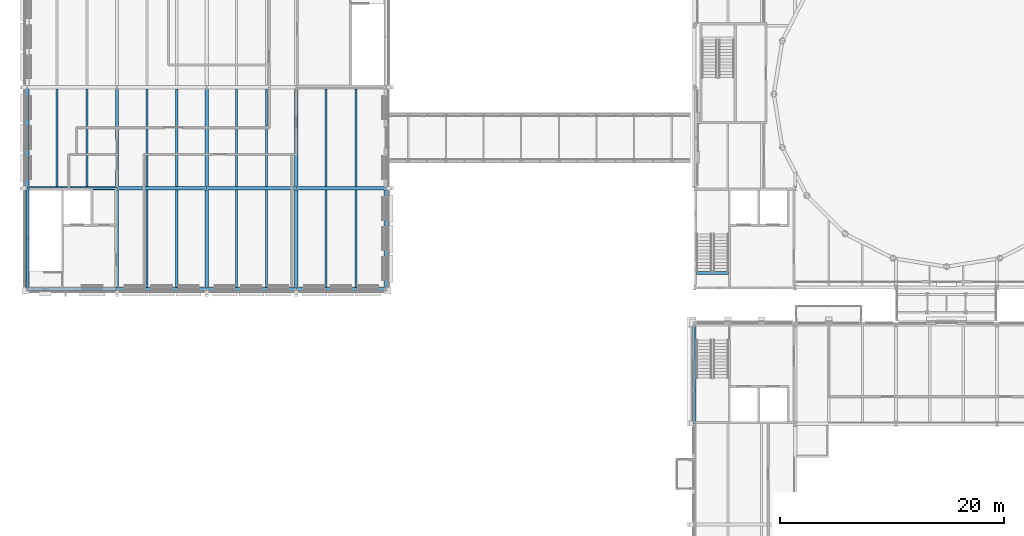
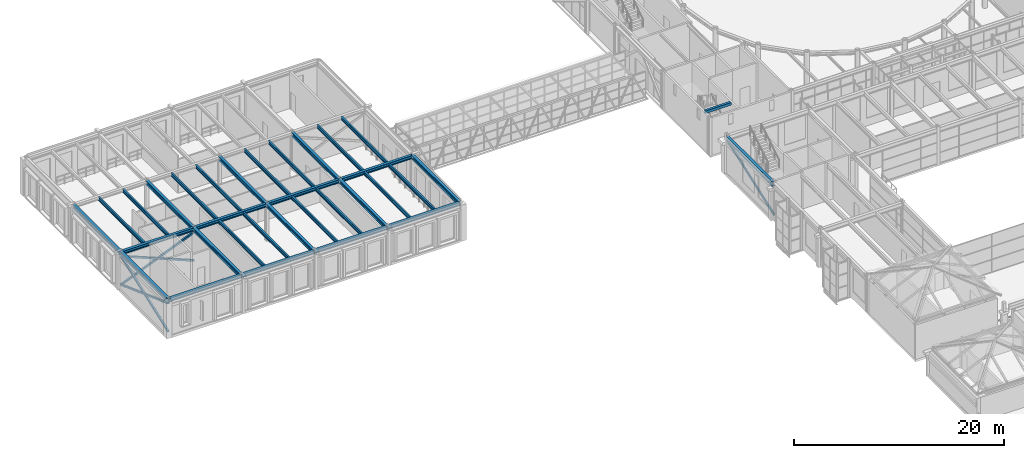
# One storey, part 30 of 149: 33 beams, 5 members.
"""IFC4 building model written with IfcOpenShell, lengths in metres."""

from ifc_helpers import new_model, si_unit, direction, frame, origin, origin_2d, place, context, subcontext, project, spatial, rectangle, hollow_rectangle, i_section, extrude, material, material_profile, profile_set, type_object, element, save


model = new_model("IFC4")

# Units and contexts
model_context = context("Model", 3, precision=1e-05, world=origin(), true_north=direction((0.0, 1.0)))
body_context = subcontext(model_context, "Body", "Model", "MODEL_VIEW")
ifc_project = project(units=[si_unit("LENGTHUNIT", "METRE"), si_unit("AREAUNIT", "SQUARE_METRE"), si_unit("VOLUMEUNIT", "CUBIC_METRE"), si_unit("PLANEANGLEUNIT", "RADIAN"), si_unit("MASSUNIT", "GRAM", prefix="KILO")], contexts=[model_context])

# Site, building, storey
site_placement = place(None, origin())
site = spatial("IfcSite", under=ifc_project, at=site_placement, CompositionType="ELEMENT")
building_placement = place(site_placement, origin())
building = spatial("IfcBuilding", under=site, at=building_placement, Name="Kallimachos Central Library", CompositionType="ELEMENT")
storey_placement = place(building_placement, frame((0.0, 0.0, 9.89990234375)))
storey = spatial("IfcBuildingStorey", under=building, at=storey_placement, Name="L02", CompositionType="ELEMENT", Elevation=9.89990234375)

# Beams
ifc_material_1 = material(Name="Steel S355J2", Category="steel")
ifc_material_profile_1 = material_profile(ifc_material_1, i_section(OverallWidth=0.300048828125, OverallDepth=0.389892578125, WebThickness=0.010986328125, FlangeThickness=0.01904296875, FilletRadius=0.027099609375, at=origin_2d()), Name="HEA 400")
ifc_profile_set_1 = profile_set([ifc_material_profile_1], Name="Steel S355J2")
beam_type_1 = type_object("IfcBeamType", Name="HEA 400 beam", PredefinedType="BEAM", material=ifc_profile_set_1)
for number, where, z_axis, x_axis, name in (
    (1, (6.0, 87.0, 4.155029296875), (1.0, 0.0, 0.0), (0.0, 1.0, 0.0), "V2-BEM-L02-016"),
    (2, (14.0, 87.0, 4.155029296875), (1.0, 0.0, 0.0), (0.0, 1.0, 0.0), "V2-BEM-L02-017"),
    (3, (22.0, 87.0, 4.155029296875), (1.0, 0.0, 0.0), (0.0, 1.0, 0.0), "V2-BEM-L02-018"),
    (4, (30.0, 87.0, 4.155029296875), (1.0, 0.0, 0.0), (0.0, 1.0, 0.0), "V2-BEM-L02-019"),
    (5, (6.0, 96.0, 4.155029296875), (1.0, 0.0, 0.0), (0.0, 1.0, 0.0), "V2-BEM-L02-020"),
    (6, (14.0, 96.0, 4.155029296875), (1.0, 0.0, 0.0), (0.0, 1.0, 0.0), "V2-BEM-L02-021"),
    (7, (22.0, 96.0, 4.155029296875), (1.0, 0.0, 0.0), (0.0, 1.0, 0.0), "V2-BEM-L02-022"),
    (8, (30.0, 96.0, 4.155029296875), (1.0, 0.0, 0.0), (0.0, 1.0, 0.0), "V2-BEM-L02-023"),
):
    element("IfcBeam", number, at=place(storey_placement, frame(where, z_axis=z_axis, x_axis=x_axis)), inside=storey, type_object=beam_type_1, Name=name, PredefinedType="BEAM", context=body_context, shape_type="SweptSolid", body=[
        extrude(i_section(OverallWidth=0.300048828125, OverallDepth=0.389892578125, WebThickness=0.010986328125, FlangeThickness=0.01904296875, FilletRadius=0.027099609375, at=origin_2d()), origin(), (0.0, 0.0, 1.0), 8.0),
    ])
ifc_material_2 = material(Name="Steel S355J2", Category="steel")
ifc_material_profile_2 = material_profile(ifc_material_2, i_section(OverallWidth=0.300048828125, OverallDepth=0.43994140625, WebThickness=0.011474609375, FlangeThickness=0.02099609375, FilletRadius=0.027099609375, at=origin_2d()), Name="HEA 450")
ifc_profile_set_2 = profile_set([ifc_material_profile_2], Name="Steel S355J2")
beam_type_2 = type_object("IfcBeamType", Name="HEA 450 beam", PredefinedType="BEAM", material=ifc_profile_set_2)
for number, where, z_axis, x_axis, name in (
    (9, (6.0, 87.0, 4.130126953125), (0.0, 1.0, 0.0), (-1.0, 0.0, 0.0), "V2-BEM-L02-001"),
    (10, (6.0, 96.0, 4.130126953125), (0.0, 1.0, 0.0), (-1.0, 0.0, 0.0), "V2-BEM-L02-002"),
    (11, (14.0, 87.0, 4.130126953125), (0.0, 1.0, 0.0), (-1.0, 0.0, 0.0), "V2-BEM-L02-004"),
    (12, (14.0, 96.0, 4.130126953125), (0.0, 1.0, 0.0), (-1.0, 0.0, 0.0), "V2-BEM-L02-005"),
    (13, (22.0, 87.0, 4.130126953125), (0.0, 1.0, 0.0), (-1.0, 0.0, 0.0), "V2-BEM-L02-007"),
    (14, (22.0, 96.0, 4.130126953125), (0.0, 1.0, 0.0), (-1.0, 0.0, 0.0), "V2-BEM-L02-008"),
    (15, (30.0, 87.0, 4.130126953125), (0.0, 1.0, 0.0), (-1.0, 0.0, 0.0), "V2-BEM-L02-010"),
    (16, (30.0, 96.0, 4.130126953125), (0.0, 1.0, 0.0), (-1.0, 0.0, 0.0), "V2-BEM-L02-011"),
    (17, (38.0, 87.0, 4.130126953125), (0.0, 1.0, 0.0), (-1.0, 0.0, 0.0), "V2-BEM-L02-013"),
):
    element("IfcBeam", number, at=place(storey_placement, frame(where, z_axis=z_axis, x_axis=x_axis)), inside=storey, type_object=beam_type_2, Name=name, PredefinedType="BEAM", context=body_context, shape_type="SweptSolid", body=[
        extrude(i_section(OverallWidth=0.300048828125, OverallDepth=0.43994140625, WebThickness=0.011474609375, FlangeThickness=0.02099609375, FilletRadius=0.027099609375, at=origin_2d()), origin(), (0.0, 0.0, 1.0), 9.0),
    ])
ifc_material_3 = material(Name="Steel S355J2", Category="steel")
ifc_material_profile_3 = material_profile(ifc_material_3, i_section(OverallWidth=0.300048828125, OverallDepth=0.550048828125, WebThickness=0.014892578125, FlangeThickness=0.029052734375, FilletRadius=0.027099609375, at=origin_2d()), Name="HEB 550")
ifc_profile_set_3 = profile_set([ifc_material_profile_3], Name="Steel S355J2")
beam_type_3 = type_object("IfcBeamType", Name="HEB 550 beam", PredefinedType="BEAM", material=ifc_profile_set_3)
beam_1_placement = place(storey_placement, frame((65.5, 75.0, 4.025146484375), z_axis=(0.0, 1.0, 0.0), x_axis=(-1.0, 0.0, 0.0)))
element("IfcBeam", 18, at=beam_1_placement, inside=storey, type_object=beam_type_3, Name="V4-BEM-L02-009", PredefinedType="BEAM", context=body_context, shape_type="SweptSolid", body=[
    extrude(i_section(OverallWidth=0.300048828125, OverallDepth=0.550048828125, WebThickness=0.014892578125, FlangeThickness=0.029052734375, FilletRadius=0.027099609375, at=origin_2d()), origin(), (0.0, 0.0, 1.0), 8.85009765625),
])
ifc_material_4 = material(Name="Steel S355J2", Category="steel")
ifc_material_profile_4 = material_profile(ifc_material_4, i_section(OverallWidth=0.179931640625, OverallDepth=0.39990234375, WebThickness=0.008544921875, FlangeThickness=0.013427734375, FilletRadius=0.02099609375, at=origin_2d()), Name="IPE 400")
ifc_profile_set_4 = profile_set([ifc_material_profile_4], Name="Steel S355J2")
beam_type_4 = type_object("IfcBeamType", Name="IPE 400 beam", PredefinedType="BEAM", material=ifc_profile_set_4)
for number, where, z_axis, x_axis, name in (
    (19, (8.666748046875, 96.14990234375, 4.150146484375), (0.0, 1.0, 0.0), (-1.0, 0.0, 0.0), "V2-BEM-L02-032"),
    (20, (11.333251953125, 96.14990234375, 4.150146484375), (0.0, 1.0, 0.0), (-1.0, 0.0, 0.0), "V2-BEM-L02-033"),
    (21, (16.666748046875, 87.14990234375, 4.150146484375), (0.0, 1.0, 0.0), (-1.0, 0.0, 0.0), "V2-BEM-L02-036"),
    (22, (19.333251953125, 87.14990234375, 4.150146484375), (0.0, 1.0, 0.0), (-1.0, 0.0, 0.0), "V2-BEM-L02-037"),
    (23, (16.666748046875, 96.14990234375, 4.150146484375), (0.0, 1.0, 0.0), (-1.0, 0.0, 0.0), "V2-BEM-L02-038"),
    (24, (19.333251953125, 96.14990234375, 4.150146484375), (0.0, 1.0, 0.0), (-1.0, 0.0, 0.0), "V2-BEM-L02-039"),
    (25, (24.666748046875, 87.14990234375, 4.150146484375), (0.0, 1.0, 0.0), (-1.0, 0.0, 0.0), "V2-BEM-L02-042"),
    (26, (27.333251953125, 87.14990234375, 4.150146484375), (0.0, 1.0, 0.0), (-1.0, 0.0, 0.0), "V2-BEM-L02-043"),
    (27, (24.666748046875, 96.14990234375, 4.150146484375), (0.0, 1.0, 0.0), (-1.0, 0.0, 0.0), "V2-BEM-L02-044"),
    (28, (27.333251953125, 96.14990234375, 4.150146484375), (0.0, 1.0, 0.0), (-1.0, 0.0, 0.0), "V2-BEM-L02-045"),
    (29, (32.666748046875, 87.14990234375, 4.150146484375), (0.0, 1.0, 0.0), (-1.0, 0.0, 0.0), "V2-BEM-L02-048"),
    (30, (35.333251953125, 87.14990234375, 4.150146484375), (0.0, 1.0, 0.0), (-1.0, 0.0, 0.0), "V2-BEM-L02-049"),
    (31, (32.666748046875, 96.14990234375, 4.150146484375), (0.0, 1.0, 0.0), (-1.0, 0.0, 0.0), "V2-BEM-L02-050"),
    (32, (35.333251953125, 96.14990234375, 4.150146484375), (0.0, 1.0, 0.0), (-1.0, 0.0, 0.0), "V2-BEM-L02-051"),
):
    element("IfcBeam", number, at=place(storey_placement, frame(where, z_axis=z_axis, x_axis=x_axis)), inside=storey, type_object=beam_type_4, Name=name, PredefinedType="BEAM", context=body_context, shape_type="SweptSolid", body=[
        extrude(i_section(OverallWidth=0.179931640625, OverallDepth=0.39990234375, WebThickness=0.008544921875, FlangeThickness=0.013427734375, FilletRadius=0.02099609375, at=origin_2d()), origin(), (0.0, 0.0, 1.0), 8.7001953125),
    ])
ifc_material_5 = material(Name="Concrete C30/37", Category="concrete")
ifc_material_profile_5 = material_profile(ifc_material_5, rectangle(XDim=0.260009765625, YDim=0.300048828125, at=origin_2d()), Name="RC stair trimmer beam 260 x 300")
ifc_profile_set_5 = profile_set([ifc_material_profile_5], Name="Concrete C30/37")
beam_type_5 = type_object("IfcBeamType", Name="RC stair trimmer beam 260 x 300", PredefinedType="BEAM", material=ifc_profile_set_5)
beam_2_placement = place(storey_placement, frame((68.550048828125, 88.424072265625, 4.2001953125), z_axis=(-1.0, 0.0, 0.0), x_axis=(0.0, -1.0, 0.0)))
element("IfcBeam", 33, at=beam_2_placement, inside=storey, type_object=beam_type_5, Name="Stair trimmer beam ST1 L02", PredefinedType="BEAM", context=body_context, shape_type="SweptSolid", body=[
    extrude(rectangle(XDim=0.260009765625, YDim=0.300048828125, at=origin_2d()), origin(), (0.0, 0.0, 1.0), 2.85009765625),
])

# Members
ifc_material_6 = material(Name="Steel S355J2H", Category="steel")
ifc_material_profile_6 = material_profile(ifc_material_6, hollow_rectangle(XDim=0.14990234375, YDim=0.25, WallThickness=0.010009765625, InnerFilletRadius=0.010009765625, OuterFilletRadius=0.014892578125, at=origin_2d()), Name="RHS 250x150x10")
ifc_profile_set_6 = profile_set([ifc_material_profile_6], Name="Steel S355J2H")
member_type_1 = type_object("IfcMemberType", Name="RHS 250x150x10 brace", PredefinedType="BRACE", material=ifc_profile_set_6)
member_placement = place(storey_placement, frame((65.60009765625, 75.0, 0.400146484375), z_axis=(0.0, 0.94041523715, 0.340028207264), x_axis=(-1.0, 0.0, 0.0)))
element("IfcMember", 34, at=member_placement, inside=storey, type_object=member_type_1, Name="V4-MEM-L02-001", PredefinedType="BRACE", context=body_context, shape_type="SweptSolid", body=[
    extrude(hollow_rectangle(XDim=0.14990234375, YDim=0.25, WallThickness=0.010009765625, InnerFilletRadius=0.010009765625, OuterFilletRadius=0.014892578125, at=origin_2d()), origin(), (0.0, 0.0, 1.0), 9.410888671875),
])
ifc_material_7 = material(Name="Steel S355J2H", Category="steel")
ifc_material_profile_7 = material_profile(ifc_material_7, hollow_rectangle(XDim=0.199951171875, YDim=0.199951171875, WallThickness=0.010009765625, InnerFilletRadius=0.010009765625, OuterFilletRadius=0.014892578125, at=origin_2d()), Name="SHS 200x200x10")
ifc_profile_set_7 = profile_set([ifc_material_profile_7], Name="Steel S355J2H")
member_type_2 = type_object("IfcMemberType", Name="SHS 200x200x10 brace", PredefinedType="BRACE", material=ifc_profile_set_7)
for number, where, z_axis, x_axis, name in (
    (35, (6.0, 87.0, 0.4501953125), (0.0, 0.938882901191, 0.344236688707), (-1.0, 0.0, 0.0), "V2-MEM-L02-001"),
    (36, (6.0, 87.0, 3.75), (0.0, 0.938882901191, -0.344236688707), (-1.0, 0.0, 0.0), "V2-MEM-L02-002"),
):
    element("IfcMember", number, at=place(storey_placement, frame(where, z_axis=z_axis, x_axis=x_axis)), inside=storey, type_object=member_type_2, Name=name, PredefinedType="BRACE", context=body_context, shape_type="SweptSolid", body=[
        extrude(hollow_rectangle(XDim=0.199951171875, YDim=0.199951171875, WallThickness=0.010009765625, InnerFilletRadius=0.010009765625, OuterFilletRadius=0.014892578125, at=origin_2d()), origin(), (0.0, 0.0, 1.0), 9.5859375),
    ])
for number, where, z_axis, x_axis, name in (
    (37, (6.0, 96.0, 0.4501953125), (0.924446557028, 0.0, 0.381311635278), (0.0, 1.0, 0.0), "V2-MEM-L02-003"),
    (38, (6.0, 96.0, 3.75), (0.924446557028, 0.0, -0.381311635278), (0.0, 1.0, 0.0), "V2-MEM-L02-004"),
):
    element("IfcMember", number, at=place(storey_placement, frame(where, z_axis=z_axis, x_axis=x_axis)), inside=storey, type_object=member_type_2, Name=name, PredefinedType="BRACE", context=body_context, shape_type="SweptSolid", body=[
        extrude(hollow_rectangle(XDim=0.199951171875, YDim=0.199951171875, WallThickness=0.010009765625, InnerFilletRadius=0.010009765625, OuterFilletRadius=0.014892578125, at=origin_2d()), origin(), (0.0, 0.0, 1.0), 8.65380859375),
    ])

save(model, "model.ifc")
